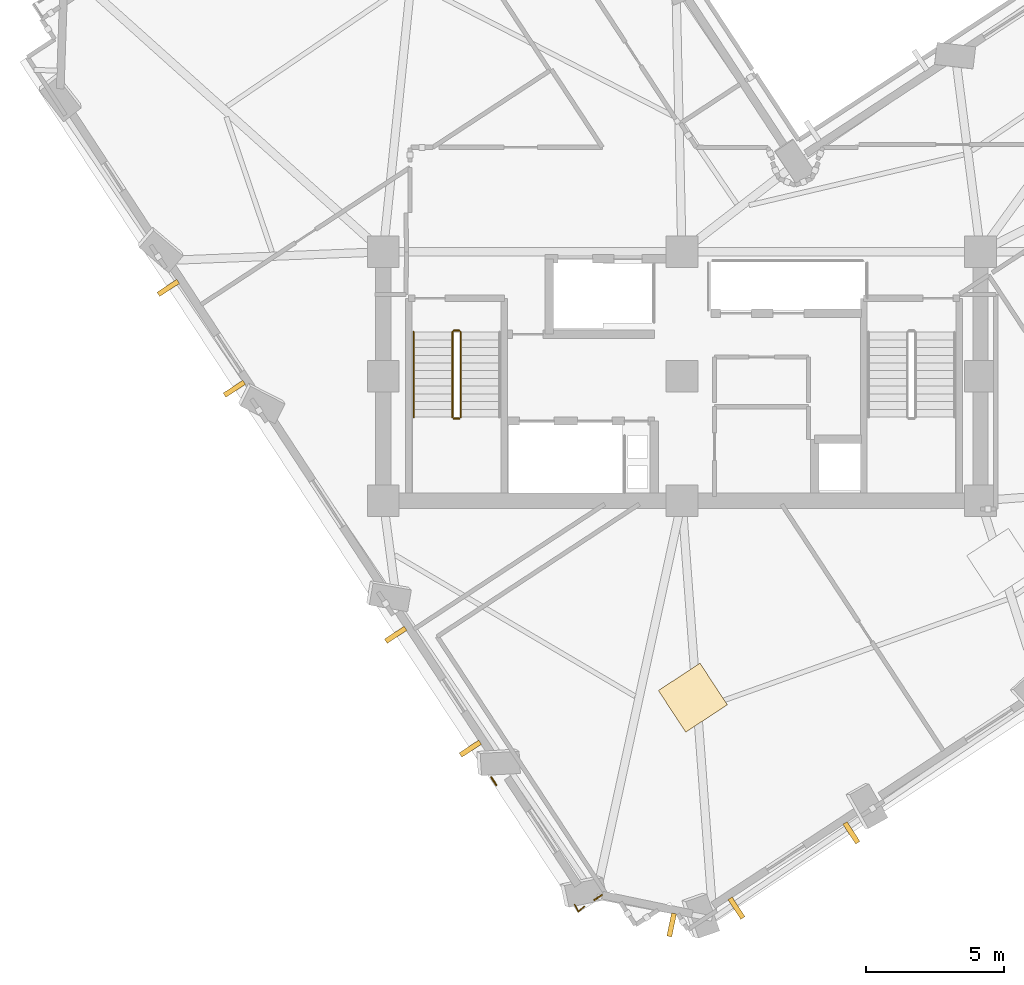
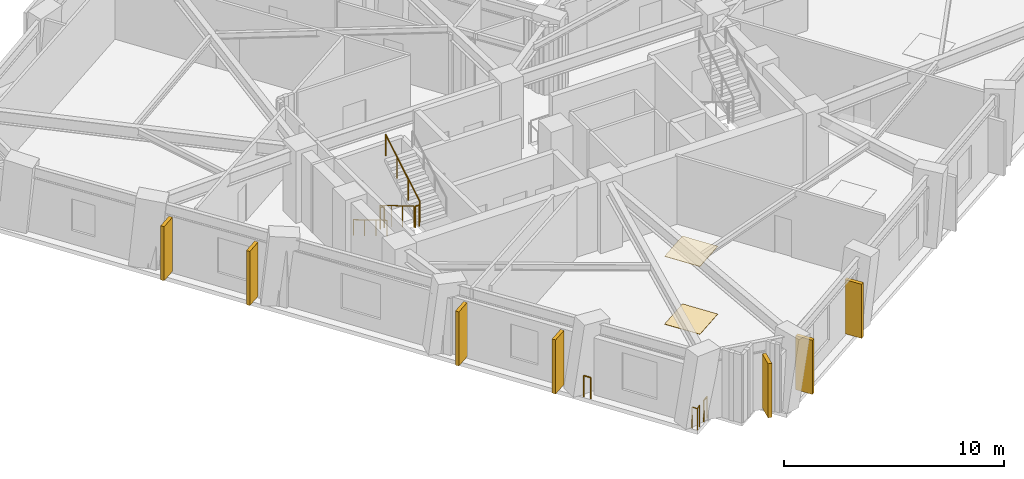
# One storey, part 10 of 14: 8 railings, 7 shading devices, 2 coverings.
"""IFC4 building model written with IfcOpenShell, lengths in metres."""

from ifc_helpers import new_model, si_unit, direction, frame, origin, origin_2d, place, context, subcontext, project, spatial, rectangle, circle, extrude, material, layer, layer_set, type_object, element, save


model = new_model("IFC4")

# Units and contexts
model_context = context("Model", 3, precision=1e-05, world=origin(), true_north=direction((0.0, 1.0)))
body_context = subcontext(model_context, "Body", "Model", "MODEL_VIEW")
ifc_project = project(units=[si_unit("LENGTHUNIT", "METRE"), si_unit("AREAUNIT", "SQUARE_METRE"), si_unit("VOLUMEUNIT", "CUBIC_METRE"), si_unit("PLANEANGLEUNIT", "RADIAN"), si_unit("MASSUNIT", "GRAM", prefix="KILO")], contexts=[model_context])

# Site, building, storey
site_placement = place(None, origin())
site = spatial("IfcSite", under=ifc_project, at=site_placement, CompositionType="ELEMENT")
building_placement = place(site_placement, origin())
building = spatial("IfcBuilding", under=site, at=building_placement, Name="Gaonmaruhae Medical Tower", CompositionType="ELEMENT")
storey_placement = place(building_placement, frame((0.0, 0.0, 165.800048828125)))
storey = spatial("IfcBuildingStorey", under=building, at=storey_placement, Name="L39", CompositionType="ELEMENT", Elevation=165.800048828125)

# Coverings
ifc_material_1 = material(Name="Acoustic mineral ceiling tile", Category="finish")
ifc_layer_1 = layer(ifc_material_1, 0.02490234375)
ifc_layer_set_1 = layer_set([ifc_layer_1], Name="Acoustic mineral ceiling tile")
covering_type_1 = type_object("IfcCoveringType", Name="CLG-01 Antimicrobial Acoustic Mineral Ceiling", PredefinedType="CEILING", material=ifc_layer_set_1)
covering_1_placement = place(storey_placement, frame((25.1953125, 0.677490234375, 3.7548828125), z_axis=(0.0, 0.0, 1.0), x_axis=(0.836286155848, 0.54829322952, 0.0)))
element("IfcCovering", 1, at=covering_1_placement, inside=storey, type_object=covering_type_1, Name="L39 Clinical Room Acoustic Ceiling 2", PredefinedType="CEILING", context=body_context, shape_type="SweptSolid", body=[
    extrude(rectangle(XDim=1.800048828125, YDim=1.800048828125, at=origin_2d()), origin(), (0.0, 0.0, 1.0), 0.02490234375),
])
ifc_material_2 = material(Name="Seamless clinical vinyl flooring", Category="finish")
ifc_layer_2 = layer(ifc_material_2, 0.014892578125)
ifc_layer_set_2 = layer_set([ifc_layer_2], Name="Seamless clinical vinyl flooring")
covering_type_2 = type_object("IfcCoveringType", Name="FLR-01 Seamless Clinical Antistatic Vinyl Flooring", PredefinedType="FLOORING", material=ifc_layer_set_2)
covering_2_placement = place(storey_placement, frame((25.1953125, 0.677490234375, 0.0), z_axis=(0.0, 0.0, 1.0), x_axis=(0.836286155848, 0.54829322952, 0.0)))
element("IfcCovering", 2, at=covering_2_placement, inside=storey, type_object=covering_type_2, Name="L39 Clinical Room Vinyl Flooring 2", PredefinedType="FLOORING", context=body_context, shape_type="SweptSolid", body=[
    extrude(rectangle(XDim=1.800048828125, YDim=1.800048828125, at=origin_2d()), origin(), (0.0, 0.0, 1.0), 0.014892578125),
])

# Railings
ifc_material_3 = material(Name="Stainless steel 316L and laminated safety glass", Category="steel")
ifc_layer_3 = layer(ifc_material_3, 0.080078125)
ifc_layer_set_3 = layer_set([ifc_layer_3], Name="Stainless steel 316L and laminated safety glass")
railing_type_1 = type_object("IfcRailingType", Name="GD-120 Outdoor Terrace Safety Glass & Steel Balustrade", PredefinedType="BALUSTRADE", material=ifc_layer_set_3)
railing_1_placement = place(storey_placement, frame((21.905029296875, -6.4599609375, 0.0)))
element("IfcRailing", 3, at=railing_1_placement, inside=storey, type_object=railing_type_1, Name="L39 Perimeter Slab Edge Safety Balustrade 03", PredefinedType="BALUSTRADE", context=body_context, shape_type="SweptSolid", body=[
    extrude(circle(Radius=0.02392578125, at=origin_2d()), frame((0.0, 0.0, 1.17578125), z_axis=(-0.836165716335, -0.548476886318, 0.0), x_axis=(0.548476886318, -0.836165716335, 0.0)), (0.0, 0.0, 1.0), 0.32666015625),
    extrude(circle(Radius=0.02099609375, at=origin_2d()), origin(), (0.0, 0.0, 1.0), 1.15185546875),
    extrude(circle(Radius=0.02099609375, at=origin_2d()), frame((-0.273193359375, -0.17919921875, 0.0)), (0.0, 0.0, 1.0), 1.15185546875),
])
railing_2_placement = place(storey_placement, frame((18.09130859375, -2.4853515625, 0.0)))
element("IfcRailing", 4, at=railing_2_placement, inside=storey, type_object=railing_type_1, Name="L39 Perimeter Slab Edge Safety Balustrade 04", PredefinedType="BALUSTRADE", context=body_context, shape_type="SweptSolid", body=[
    extrude(circle(Radius=0.02392578125, at=origin_2d()), frame((0.0, 0.0, 1.17578125), z_axis=(-0.548043609358, 0.83644976074, 0.0), x_axis=(-0.83644976074, -0.548043609358, 0.0)), (0.0, 0.0, 1.0), 0.33935546875),
    extrude(circle(Radius=0.02099609375, at=origin_2d()), origin(), (0.0, 0.0, 1.0), 1.15185546875),
    extrude(circle(Radius=0.02099609375, at=origin_2d()), frame((-0.18603515625, 0.283935546875, 0.0)), (0.0, 0.0, 1.0), 1.15185546875),
])
railing_3_placement = place(storey_placement, frame((21.269287109375, -6.876708984375, 0.0)))
element("IfcRailing", 5, at=railing_3_placement, inside=storey, type_object=railing_type_1, Name="L39 Perimeter Corner Safety Balustrade 08", PredefinedType="BALUSTRADE", context=body_context, shape_type="SweptSolid", body=[
    extrude(circle(Radius=0.02392578125, at=origin_2d()), frame((0.0, 0.0, 1.17578125), z_axis=(-0.762966702467, -0.646437785813, 0.0), x_axis=(0.646437785813, -0.762966702467, 0.0)), (0.0, 0.0, 1.0), 0.287109375),
    extrude(circle(Radius=0.02392578125, at=origin_2d()), frame((-0.218994140625, -0.185546875, 1.17578125), z_axis=(-0.442105109169, 0.896963250332, 0.0), x_axis=(-0.896963250332, -0.442105109169, 0.0)), (0.0, 0.0, 1.0), 0.287109375),
    extrude(circle(Radius=0.02099609375, at=origin_2d()), origin(), (0.0, 0.0, 1.0), 1.15185546875),
    extrude(circle(Radius=0.02099609375, at=origin_2d()), frame((-0.218994140625, -0.185546875, 0.0)), (0.0, 0.0, 1.0), 1.15185546875),
    extrude(circle(Radius=0.02099609375, at=origin_2d()), frame((-0.345947265625, 0.072021484375, 0.0)), (0.0, 0.0, 1.0), 1.15185546875),
])
ifc_material_4 = material(Name="Stainless steel 304 handrail", Category="steel")
railing_type_2 = type_object("IfcRailingType", Name="HR-092 Continuous Stainless Steel Stair Handrail", PredefinedType="HANDRAIL", material=ifc_material_4)
railing_4_placement = place(storey_placement, frame((15.10009765625, 13.89990234375, 0.16650390625)))
element("IfcRailing", 6, at=railing_4_placement, inside=storey, type_object=railing_type_2, Name="L39 ST-01 stair handrail 1", PredefinedType="HANDRAIL", context=body_context, shape_type="SweptSolid", body=[
    extrude(circle(Radius=0.02392578125, at=origin_2d()), frame((0.0, 0.0, 0.8759765625), z_axis=(0.0, -0.859260807169, 0.511537745687), x_axis=(1.0, 0.0, 0.0)), (0.0, 0.0, 1.0), 3.584228515625),
    extrude(circle(Radius=0.02099609375, at=origin_2d()), origin(), (0.0, 0.0, 1.0), 0.851806640625),
    extrude(circle(Radius=0.02099609375, at=origin_2d()), frame((0.0, -1.026611328125, 0.611083984375)), (0.0, 0.0, 1.0), 0.851806640625),
    extrude(circle(Radius=0.02099609375, at=origin_2d()), frame((0.0, -2.05322265625, 1.222412109375)), (0.0, 0.0, 1.0), 0.851806640625),
    extrude(circle(Radius=0.02099609375, at=origin_2d()), frame((0.0, -3.079833984375, 1.83349609375)), (0.0, 0.0, 1.0), 0.851806640625),
])

# Shading devices
ifc_material_5 = material(Name="Pigmented coral precast concrete C45/55", Category="concrete")
shading_device_type = type_object("IfcShadingDeviceType", Name="SD-FIN1 Tower Vertical Coral Precast Shading Fin", PredefinedType="USERDEFINED", material=ifc_material_5)
for number, where, z_axis, x_axis, name in (
    (7, (30.927978515625, -4.209228515625, 0.08251953125), (0.0, 0.0, 1.0), (-0.836295725243, -0.548278633489, 0.0), "L39 Vertical Coral Precast Shading Fin S01"),
    (8, (26.771728515625, -6.93408203125, 0.08251953125), (0.0, 0.0, 1.0), (-0.836295725243, -0.548278633489, 0.0), "L39 Vertical Coral Precast Shading Fin S01B"),
    (9, (8.615478515625, 11.849365234375, 0.08251953125), (0.0, 0.0, 1.0), (-0.548307825383, 0.836276586198, 0.0), "L39 Vertical Coral Precast Shading Fin W02"),
    (10, (6.2236328125, 15.497314453125, 0.08251953125), (0.0, 0.0, 1.0), (-0.548307825383, 0.836276586198, 0.0), "L39 Vertical Coral Precast Shading Fin W02B"),
    (11, (17.148193359375, -1.1650390625, 0.08251953125), (0.0, 0.0, 1.0), (-0.54829322952, 0.836286155848, 0.0), "L39 Vertical Coral Precast Shading Fin W04"),
    (12, (14.448486328125, 2.952392578125, 0.08251953125), (0.0, 0.0, 1.0), (-0.54829322952, 0.836286155848, 0.0), "L39 Vertical Coral Precast Shading Fin W04B"),
    (13, (24.4287109375, -7.54150390625, 0.08251953125), (0.0, 0.0, 1.0), (-0.979041918116, 0.203658838676, 0.0), "L39 Vertical Coral Precast Shading Fin W06"),
):
    element("IfcShadingDevice", number, at=place(storey_placement, frame(where, z_axis=z_axis, x_axis=x_axis)), inside=storey, type_object=shading_device_type, Name=name, ObjectType="FIN", PredefinedType="USERDEFINED", context=body_context, shape_type="SweptSolid", body=[
        extrude(rectangle(XDim=0.179931640625, YDim=0.85009765625, at=origin_2d()), origin(), (0.0, 0.0, 1.0), 3.0),
    ])

# Railings
ifc_material_6 = material(Name="Stainless steel 304 balustrade", Category="steel")
railing_type_3 = type_object("IfcRailingType", Name="SG-112 Stair Well & Ramp Void Safety Balustrade", PredefinedType="BALUSTRADE", material=ifc_material_6)
railing_5_placement = place(storey_placement, frame((16.5, 13.89990234375, 0.16650390625)))
element("IfcRailing", 14, at=railing_5_placement, inside=storey, type_object=railing_type_3, Name="L39 ST-01 stair guard 1", PredefinedType="BALUSTRADE", context=body_context, shape_type="SweptSolid", body=[
    extrude(circle(Radius=0.02392578125, at=origin_2d()), frame((0.0, 0.0, 1.17578125), z_axis=(0.0, -0.859260807169, 0.511537745687), x_axis=(1.0, 0.0, 0.0)), (0.0, 0.0, 1.0), 3.584228515625),
    extrude(circle(Radius=0.02099609375, at=origin_2d()), origin(), (0.0, 0.0, 1.0), 1.15185546875),
    extrude(circle(Radius=0.02099609375, at=origin_2d()), frame((0.0, -1.026611328125, 0.611083984375)), (0.0, 0.0, 1.0), 1.15185546875),
    extrude(circle(Radius=0.02099609375, at=origin_2d()), frame((0.0, -2.05322265625, 1.222412109375)), (0.0, 0.0, 1.0), 1.15185546875),
    extrude(circle(Radius=0.02099609375, at=origin_2d()), frame((0.0, -3.079833984375, 1.83349609375)), (0.0, 0.0, 1.0), 1.15185546875),
])
railing_6_placement = place(storey_placement, frame((16.550048828125, 10.77001953125, 2.0)))
element("IfcRailing", 15, at=railing_6_placement, inside=storey, type_object=railing_type_3, Name="L39 ST-01 stair guard 2", PredefinedType="BALUSTRADE", context=body_context, shape_type="SweptSolid", body=[
    extrude(circle(Radius=0.02392578125, at=origin_2d()), frame((0.0, 0.0, 1.17578125), z_axis=(1.0, 0.0, 0.0), x_axis=(0.0, 1.0, 0.0)), (0.0, 0.0, 1.0), 0.199951171875),
    extrude(circle(Radius=0.02099609375, at=origin_2d()), origin(), (0.0, 0.0, 1.0), 1.15185546875),
    extrude(circle(Radius=0.02099609375, at=origin_2d()), frame((0.199951171875, 0.0, 0.0)), (0.0, 0.0, 1.0), 1.15185546875),
])
railing_7_placement = place(storey_placement, frame((16.800048828125, 10.820068359375, 2.16650390625)))
element("IfcRailing", 16, at=railing_7_placement, inside=storey, type_object=railing_type_3, Name="L39 ST-01 stair guard 3", PredefinedType="BALUSTRADE", context=body_context, shape_type="SweptSolid", body=[
    extrude(circle(Radius=0.02392578125, at=origin_2d()), frame((0.0, 0.0, 1.17578125), z_axis=(0.0, 0.859260807169, 0.511537745687), x_axis=(-1.0, 0.0, 0.0)), (0.0, 0.0, 1.0), 3.584228515625),
    extrude(circle(Radius=0.02099609375, at=origin_2d()), origin(), (0.0, 0.0, 1.0), 1.15185546875),
    extrude(circle(Radius=0.02099609375, at=origin_2d()), frame((0.0, 1.026611328125, 0.611083984375)), (0.0, 0.0, 1.0), 1.15185546875),
    extrude(circle(Radius=0.02099609375, at=origin_2d()), frame((0.0, 2.05322265625, 1.222412109375)), (0.0, 0.0, 1.0), 1.15185546875),
    extrude(circle(Radius=0.02099609375, at=origin_2d()), frame((0.0, 3.079833984375, 1.83349609375)), (0.0, 0.0, 1.0), 1.15185546875),
])
railing_8_placement = place(storey_placement, frame((16.550048828125, 13.949951171875, 0.0)))
element("IfcRailing", 17, at=railing_8_placement, inside=storey, type_object=railing_type_3, Name="L39 ST-01 stair guard 4", PredefinedType="BALUSTRADE", context=body_context, shape_type="SweptSolid", body=[
    extrude(circle(Radius=0.02392578125, at=origin_2d()), frame((0.0, 0.0, 1.17578125), z_axis=(1.0, 0.0, 0.0), x_axis=(0.0, 1.0, 0.0)), (0.0, 0.0, 1.0), 0.199951171875),
    extrude(circle(Radius=0.02099609375, at=origin_2d()), origin(), (0.0, 0.0, 1.0), 1.15185546875),
    extrude(circle(Radius=0.02099609375, at=origin_2d()), frame((0.199951171875, 0.0, 0.0)), (0.0, 0.0, 1.0), 1.15185546875),
])

save(model, "model.ifc")
